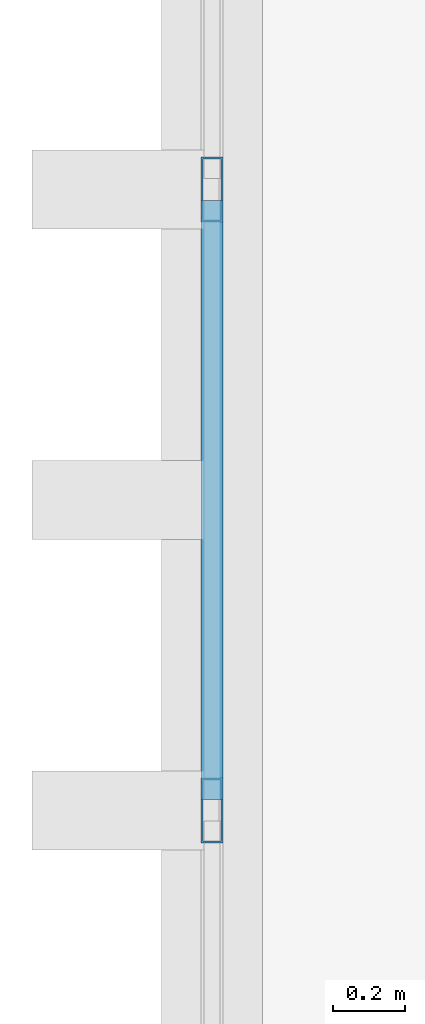
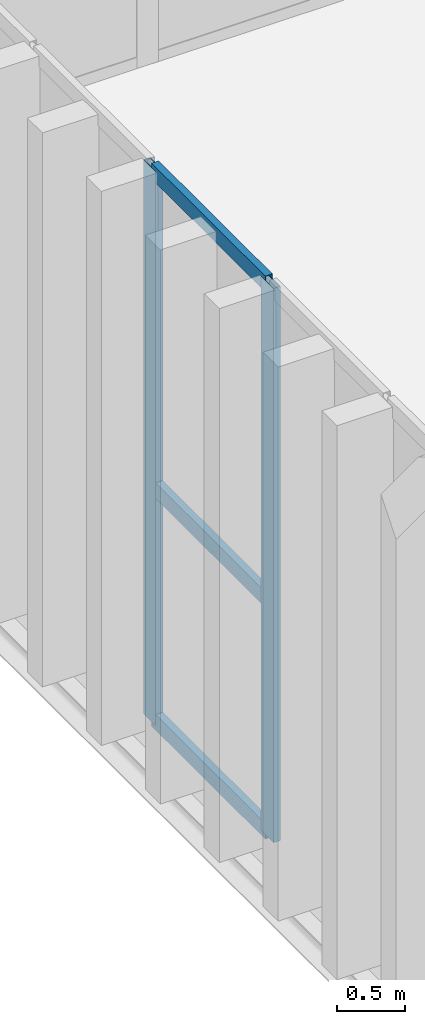
# One storey, part 125 of 211: 5 members, 1 element without a shape of its own.
"""IFC4 building model written with IfcOpenShell, lengths in metres."""

from ifc_helpers import new_model, si_unit, direction, frame, origin, origin_2d, place, context, subcontext, project, spatial, hollow_rectangle, extrude, material, layer, layer_set, material_profile, profile_set, type_object, element, aggregate, save


model = new_model("IFC4")

# Units and contexts
model_context = context("Model", 3, precision=1e-05, world=origin(), true_north=direction((0.0, 1.0)))
body_context = subcontext(model_context, "Body", "Model", "MODEL_VIEW")
ifc_project = project(units=[si_unit("LENGTHUNIT", "METRE"), si_unit("AREAUNIT", "SQUARE_METRE"), si_unit("VOLUMEUNIT", "CUBIC_METRE"), si_unit("PLANEANGLEUNIT", "RADIAN"), si_unit("MASSUNIT", "GRAM", prefix="KILO")], contexts=[model_context])

# Site, building, storey
site_placement = place(None, origin())
site = spatial("IfcSite", under=ifc_project, at=site_placement, CompositionType="ELEMENT")
building_placement = place(site_placement, origin())
building = spatial("IfcBuilding", under=site, at=building_placement, Name="Barlavento Convention Centre", CompositionType="ELEMENT")
storey_placement = place(building_placement, frame((0.0, 0.0, 6.0)))
storey = spatial("IfcBuildingStorey", under=building, at=storey_placement, Name="L01", CompositionType="ELEMENT", Elevation=6.0)

# Curtain wall, members
ifc_material_1 = material(Name="Powder-coated aluminium and Low-E glass", Category="aluminium")
ifc_layer = layer(ifc_material_1, 0.179931640625)
ifc_layer_set = layer_set([ifc_layer], Name="ARC-CW-EXH-L01")
curtain_wall_type = type_object("IfcCurtainWallType", Name="ARC-CW-EXH-L01", PredefinedType="NOTDEFINED", material=ifc_layer_set)
curtain_wall_placement = place(storey_placement, origin())
curtain_wall = element("IfcCurtainWall", 1, at=curtain_wall_placement, inside=storey, type_object=curtain_wall_type, Name="L01 unitised curtain wall CW04", PredefinedType="NOTDEFINED")
ifc_material_2 = material(Name="Powder-coated aluminium", Category="aluminium")
ifc_material_profile_1 = material_profile(ifc_material_2, hollow_rectangle(XDim=0.06005859375, YDim=0.179931640625, WallThickness=0.0048828125, at=origin_2d()), Name="AL-MULL 60x180x5")
ifc_profile_set_1 = profile_set([ifc_material_profile_1], Name="Powder-coated aluminium")
member_type_1 = type_object("IfcMemberType", Name="ARC-CWM-60X180", PredefinedType="MULLION", material=ifc_profile_set_1)
member_1_placement = place(storey_placement, frame((180.0, 126.0048828125, 0.0), z_axis=(0.0, 0.0, 1.0), x_axis=(-1.0, 0.0, 0.0)))
member_1 = element("IfcMember", 2, at=member_1_placement, type_object=member_type_1, Name="CW04 mullion 6", PredefinedType="MULLION", context=body_context, shape_type="SweptSolid", body=[
    extrude(hollow_rectangle(XDim=0.06005859375, YDim=0.179931640625, WallThickness=0.0048828125, at=origin_2d()), origin(), (0.0, 0.0, 1.0), 4.949951171875),
])
member_2_placement = place(storey_placement, frame((180.0, 127.72998046875, 0.0), z_axis=(0.0, 0.0, 1.0), x_axis=(-1.0, 0.0, 0.0)))
member_2 = element("IfcMember", 3, at=member_2_placement, type_object=member_type_1, Name="CW04 mullion 7", PredefinedType="MULLION", context=body_context, shape_type="SweptSolid", body=[
    extrude(hollow_rectangle(XDim=0.06005859375, YDim=0.179931640625, WallThickness=0.0048828125, at=origin_2d()), origin(), (0.0, 0.0, 1.0), 4.949951171875),
])
ifc_material_profile_2 = material_profile(ifc_material_2, hollow_rectangle(XDim=0.06005859375, YDim=0.139892578125, WallThickness=0.00390625, at=origin_2d()), Name="AL-TRAN 60x140x4")
ifc_profile_set_2 = profile_set([ifc_material_profile_2], Name="Powder-coated aluminium")
member_type_2 = type_object("IfcMemberType", Name="ARC-CWT-60X140", PredefinedType="USERDEFINED", material=ifc_profile_set_2)
member_3_placement = place(storey_placement, frame((180.0, 126.034912109375, 0.030029296875), z_axis=(0.0, 1.0, 0.0), x_axis=(-1.0, 0.0, 0.0)))
member_3 = element("IfcMember", 4, at=member_3_placement, type_object=member_type_2, Name="CW04 transom 6.1", ObjectType="TRANSOM", PredefinedType="USERDEFINED", context=body_context, shape_type="SweptSolid", body=[
    extrude(hollow_rectangle(XDim=0.06005859375, YDim=0.139892578125, WallThickness=0.00390625, at=origin_2d()), origin(), (0.0, 0.0, 1.0), 1.6650390625),
])
member_4_placement = place(storey_placement, frame((180.0, 126.034912109375, 2.10009765625), z_axis=(0.0, 1.0, 0.0), x_axis=(-1.0, 0.0, 0.0)))
member_4 = element("IfcMember", 5, at=member_4_placement, type_object=member_type_2, Name="CW04 transom 6.2", ObjectType="TRANSOM", PredefinedType="USERDEFINED", context=body_context, shape_type="SweptSolid", body=[
    extrude(hollow_rectangle(XDim=0.06005859375, YDim=0.139892578125, WallThickness=0.00390625, at=origin_2d()), origin(), (0.0, 0.0, 1.0), 1.6650390625),
])
member_5_placement = place(storey_placement, frame((180.0, 126.034912109375, 4.919921875), z_axis=(0.0, 1.0, 0.0), x_axis=(-1.0, 0.0, 0.0)))
member_5 = element("IfcMember", 6, at=member_5_placement, type_object=member_type_2, Name="CW04 transom 6.3", ObjectType="TRANSOM", PredefinedType="USERDEFINED", context=body_context, shape_type="SweptSolid", body=[
    extrude(hollow_rectangle(XDim=0.06005859375, YDim=0.139892578125, WallThickness=0.00390625, at=origin_2d()), origin(), (0.0, 0.0, 1.0), 1.6650390625),
])
aggregate(curtain_wall, [member_1, member_2, member_3, member_4, member_5])

save(model, "model.ifc")
